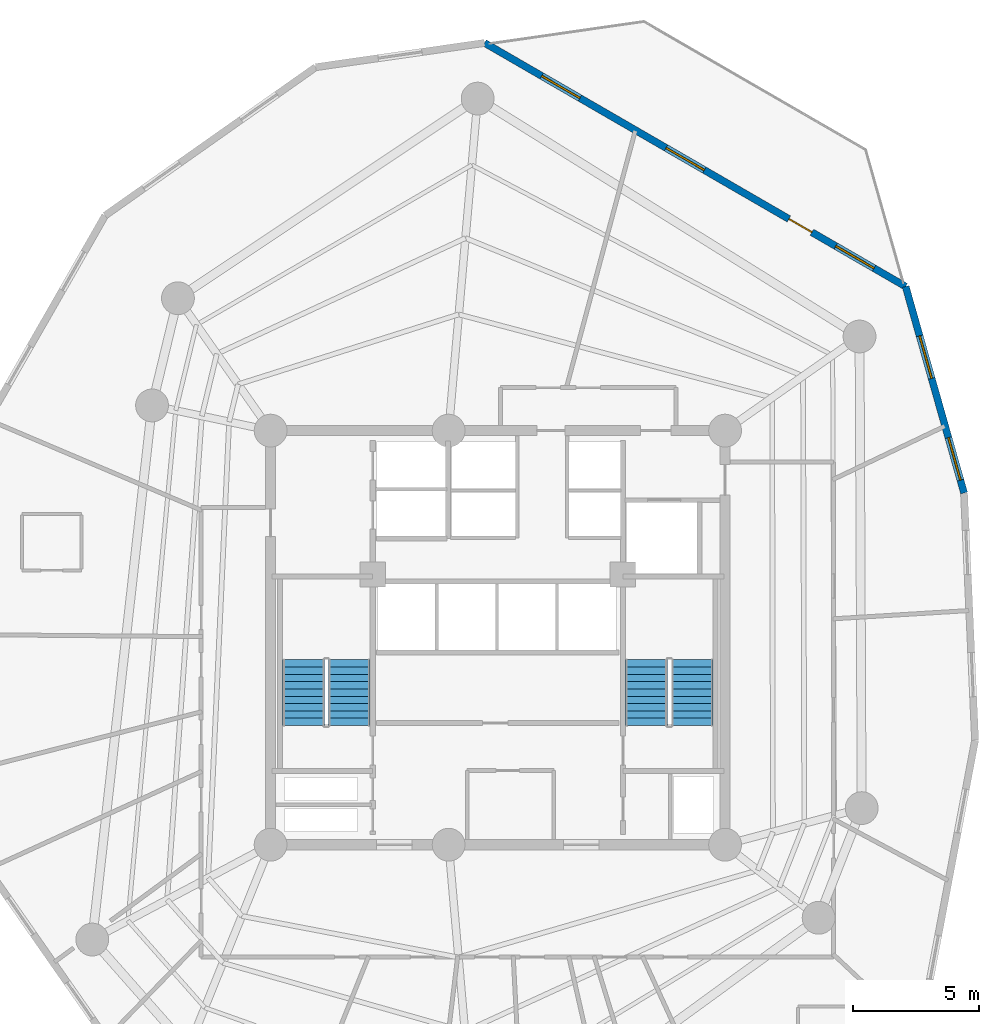
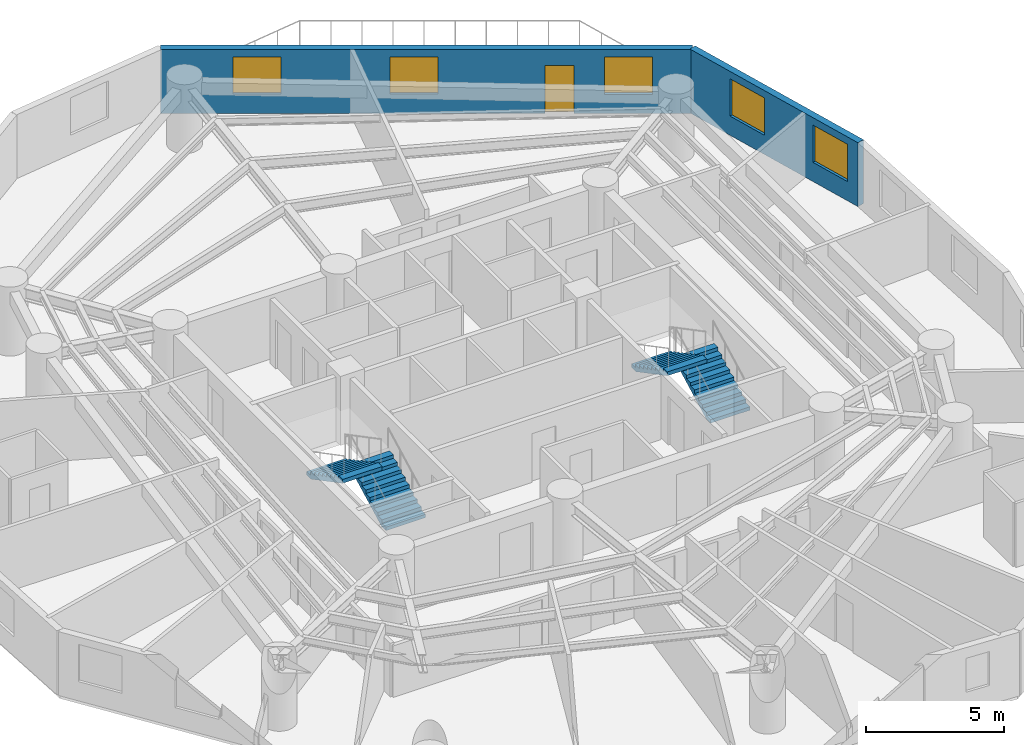
# One storey, part 6 of 7: 5 windows, 4 stair flights, 2 walls, 1 door, 6 openings, 2 elements without a shape of their own.
"""IFC4 building model written with IfcOpenShell, lengths in metres."""

from ifc_helpers import new_model, si_unit, direction, frame, frame_2d, origin, origin_with_axes, place, context, subcontext, project, spatial, polyline, rectangle, outline, extrude, source, transform, mapped, material, layer, layer_set, type_object, element, fill, aggregate, save


model = new_model("IFC4")

# Units and contexts
model_context = context("Model", 3, precision=1e-05, world=origin(), true_north=direction((0.0, 1.0)))
body_context = subcontext(model_context, "Body", "Model", "MODEL_VIEW")
ifc_project = project(units=[si_unit("LENGTHUNIT", "METRE"), si_unit("AREAUNIT", "SQUARE_METRE"), si_unit("VOLUMEUNIT", "CUBIC_METRE"), si_unit("PLANEANGLEUNIT", "RADIAN"), si_unit("MASSUNIT", "GRAM", prefix="KILO")], contexts=[model_context])

# Site, building, storey
site_placement = place(None, origin())
site = spatial("IfcSite", under=ifc_project, at=site_placement, CompositionType="ELEMENT")
building_placement = place(site_placement, origin())
building = spatial("IfcBuilding", under=site, at=building_placement, Name="Karkom Vertical University and Central Library", CompositionType="ELEMENT")
storey_placement = place(building_placement, frame((0.0, 0.0, 193.14990234375)))
storey = spatial("IfcBuildingStorey", under=building, at=storey_placement, Name="L56", CompositionType="ELEMENT", Elevation=193.14990234375)

# Wall, openings, windows
ifc_material_1 = material(Name="Brick-faced precast concrete C45/55", Category="masonry")
ifc_layer = layer(ifc_material_1, 0.280029296875)
ifc_layer_set = layer_set([ifc_layer], Name="Brick-faced precast concrete C45/55")
wall_type = type_object("IfcWallType", Name="ENV-WL-BRK-280", PredefinedType="SOLIDWALL", material=ifc_layer_set)
wall_1_placement = place(storey_placement, frame((46.966064453125, 32.229736328125, 0.0), z_axis=(0.0, 0.0, 1.0), x_axis=(-0.272329993082, 0.96220391543, 0.0)))
wall_1 = element("IfcWall", 1, at=wall_1_placement, inside=storey, type_object=wall_type, Name="Level 56 Brick-Faced Precast Facade Wall 07", PredefinedType="SOLIDWALL", context=body_context, shape_type="SweptSolid", body=[
    extrude(rectangle(XDim=8.498779296875, YDim=0.280029296875, at=frame_2d((4.24951171875, 0.0))), origin(), (0.0, 0.0, 1.0), 2.8251953125),
])
opening_1_placement = place(wall_1_placement, frame((0.528564453125, 0.0, 0.85009765625)))
opening_1 = element("IfcOpeningElement", 2, at=opening_1_placement, cuts=wall_1, Name="Opening WN-08", PredefinedType="OPENING", context=body_context, shape_type="SweptSolid", body=[
    extrude(rectangle(XDim=1.75, YDim=1.64990234375, at=frame_2d((0.875, 0.824951171875))), frame((0.0, 0.14990234375, 0.0), z_axis=(0.0, -1.0, 0.0), x_axis=(1.0, 0.0, 0.0)), (0.0, 0.0, 1.0), 0.300048828125),
])
opening_2_placement = place(wall_1_placement, frame((4.718017578125, 0.0, 0.85009765625)))
opening_2 = element("IfcOpeningElement", 3, at=opening_2_placement, cuts=wall_1, Name="Opening WN-08", PredefinedType="OPENING", context=body_context, shape_type="SweptSolid", body=[
    extrude(rectangle(XDim=1.75, YDim=1.64990234375, at=frame_2d((0.875, 0.824951171875))), frame((0.0, 0.14990234375, 0.0), z_axis=(0.0, -1.0, 0.0), x_axis=(1.0, 0.0, 0.0)), (0.0, 0.0, 1.0), 0.300048828125),
])
ifc_material_2 = material(Name="Aluminium thermal-break frame with solar-control IGU", Category="aluminium")
window_type = type_object("IfcWindowType", Name="ENV-WIN-WN-08", PartitioningType="SINGLE_PANEL", PredefinedType="WINDOW", material=ifc_material_2)
shared_shape_1 = source(origin_with_axes(), body_context, "Body", "SweptSolid", [
    extrude(rectangle(XDim=1.75, YDim=1.64990234375, at=frame_2d((0.875, 0.824951171875))), frame((0.0, 0.030029296875, 0.0), z_axis=(0.0, -1.0, 0.0), x_axis=(1.0, 0.0, 0.0)), (0.0, 0.0, 1.0), 0.06005859375),
])
window_1_placement = place(opening_1_placement, origin())
window_1 = element("IfcWindow", 4, at=window_1_placement, inside=storey, type_object=window_type, Name="Level 56 Punched Window 7.1", OverallHeight=1.64990234375, OverallWidth=1.75, PartitioningType="SINGLE_PANEL", PredefinedType="WINDOW", context=body_context, shape_type="MappedRepresentation", body=[
    mapped(shared_shape_1, transform((0.0, 0.0, 0.0), scale=1.0)),
])
fill(opening_1, window_1)
window_2_placement = place(opening_2_placement, origin())
window_2 = element("IfcWindow", 5, at=window_2_placement, inside=storey, type_object=window_type, Name="Level 56 Punched Window 7.2", OverallHeight=1.64990234375, OverallWidth=1.75, PartitioningType="SINGLE_PANEL", PredefinedType="WINDOW", context=body_context, shape_type="MappedRepresentation", body=[
    mapped(shared_shape_1, transform((0.0, 0.0, 0.0), scale=1.0)),
])
fill(opening_2, window_2)

# Wall, openings, door, windows
wall_2_placement = place(storey_placement, frame((44.651611328125, 40.4072265625, 0.0), z_axis=(0.0, 0.0, 1.0), x_axis=(-0.86559076755, 0.500752057542, 0.0)))
wall_2 = element("IfcWall", 6, at=wall_2_placement, inside=storey, type_object=wall_type, Name="Level 56 Brick-Faced Precast Facade Wall 08", PredefinedType="SOLIDWALL", context=body_context, shape_type="SweptSolid", body=[
    extrude(rectangle(XDim=19.268798828125, YDim=0.280029296875, at=frame_2d((9.63427734375, 0.0))), origin(), (0.0, 0.0, 1.0), 2.8251953125),
])
opening_3_placement = place(wall_2_placement, frame((1.446533203125, 0.0, 0.85009765625)))
opening_3 = element("IfcOpeningElement", 7, at=opening_3_placement, cuts=wall_2, Name="Opening WN-08", PredefinedType="OPENING", context=body_context, shape_type="SweptSolid", body=[
    extrude(rectangle(XDim=1.75, YDim=1.64990234375, at=frame_2d((0.875, 0.824951171875))), frame((0.0, 0.14990234375, 0.0), z_axis=(0.0, -1.0, 0.0), x_axis=(1.0, 0.0, 0.0)), (0.0, 0.0, 1.0), 0.300048828125),
])
opening_4_placement = place(wall_2_placement, frame((9.212890625, 0.0, 0.85009765625)))
opening_4 = element("IfcOpeningElement", 8, at=opening_4_placement, cuts=wall_2, Name="Opening WN-08", PredefinedType="OPENING", context=body_context, shape_type="SweptSolid", body=[
    extrude(rectangle(XDim=1.75, YDim=1.64990234375, at=frame_2d((0.875, 0.824951171875))), frame((0.0, 0.14990234375, 0.0), z_axis=(0.0, -1.0, 0.0), x_axis=(1.0, 0.0, 0.0)), (0.0, 0.0, 1.0), 0.300048828125),
])
opening_5_placement = place(wall_2_placement, frame((14.904052734375, 0.0, 0.85009765625)))
opening_5 = element("IfcOpeningElement", 9, at=opening_5_placement, cuts=wall_2, Name="Opening WN-08", PredefinedType="OPENING", context=body_context, shape_type="SweptSolid", body=[
    extrude(rectangle(XDim=1.75, YDim=1.64990234375, at=frame_2d((0.875, 0.824951171875))), frame((0.0, 0.14990234375, 0.0), z_axis=(0.0, -1.0, 0.0), x_axis=(1.0, 0.0, 0.0)), (0.0, 0.0, 1.0), 0.300048828125),
])
opening_6_placement = place(wall_2_placement, frame((4.292236328125, 0.0, 0.0)))
opening_6 = element("IfcOpeningElement", 10, at=opening_6_placement, cuts=wall_2, Name="Opening TD-1", PredefinedType="OPENING", context=body_context, shape_type="SweptSolid", body=[
    extrude(rectangle(XDim=1.050048828125, YDim=2.1201171875, at=frame_2d((0.52490234375, 1.06005859375))), frame((0.0, 0.14990234375, 0.0), z_axis=(0.0, -1.0, 0.0), x_axis=(1.0, 0.0, 0.0)), (0.0, 0.0, 1.0), 0.300048828125),
])
ifc_material_3 = material(Name="Thermally broken glazed aluminium terrace door", Category="aluminium")
door_type = type_object("IfcDoorType", Name="ENV-DR-TERR", OperationType="NOTDEFINED", PredefinedType="DOOR", material=ifc_material_3)
shared_shape_2 = source(origin_with_axes(), body_context, "Body", "SweptSolid", [
    extrude(rectangle(XDim=1.050048828125, YDim=2.1201171875, at=frame_2d((0.52490234375, 1.06005859375))), frame((0.0, 0.02490234375, 0.0), z_axis=(0.0, -1.0, 0.0), x_axis=(1.0, 0.0, 0.0)), (0.0, 0.0, 1.0), 0.050048828125),
])
door_placement = place(opening_6_placement, origin())
door = element("IfcDoor", 11, at=door_placement, inside=storey, type_object=door_type, Name="Level 56 Outdoor Terrace Access Door", OperationType="SINGLE_SWING_RIGHT", OverallHeight=2.1201171875, OverallWidth=1.050048828125, PredefinedType="DOOR", context=body_context, shape_type="MappedRepresentation", body=[
    mapped(shared_shape_2, transform((0.0, 0.0, 0.0), scale=1.0)),
])
fill(opening_6, door)
window_3_placement = place(opening_3_placement, origin())
window_3 = element("IfcWindow", 12, at=window_3_placement, inside=storey, type_object=window_type, Name="Level 56 Punched Window 8.1", OverallHeight=1.64990234375, OverallWidth=1.75, PartitioningType="SINGLE_PANEL", PredefinedType="WINDOW", context=body_context, shape_type="MappedRepresentation", body=[
    mapped(shared_shape_1, transform((0.0, 0.0, 0.0), scale=1.0)),
])
fill(opening_3, window_3)
window_4_placement = place(opening_4_placement, origin())
window_4 = element("IfcWindow", 13, at=window_4_placement, inside=storey, type_object=window_type, Name="Level 56 Punched Window 8.3", OverallHeight=1.64990234375, OverallWidth=1.75, PartitioningType="SINGLE_PANEL", PredefinedType="WINDOW", context=body_context, shape_type="MappedRepresentation", body=[
    mapped(shared_shape_1, transform((0.0, 0.0, 0.0), scale=1.0)),
])
fill(opening_4, window_4)
window_5_placement = place(opening_5_placement, origin())
window_5 = element("IfcWindow", 14, at=window_5_placement, inside=storey, type_object=window_type, Name="Level 56 Punched Window 8.4", OverallHeight=1.64990234375, OverallWidth=1.75, PartitioningType="SINGLE_PANEL", PredefinedType="WINDOW", context=body_context, shape_type="MappedRepresentation", body=[
    mapped(shared_shape_1, transform((0.0, 0.0, 0.0), scale=1.0)),
])
fill(opening_5, window_5)

# Stair, stair flights
ifc_material_4 = material(Name="Concrete C45/55", Category="concrete")
stair_type = type_object("IfcStairType", Name="INT-STR-ST-MAIN", PredefinedType="HALF_TURN_STAIR", material=ifc_material_4)
stair_1_placement = place(storey_placement, origin())
stair_1 = element("IfcStair", 15, at=stair_1_placement, inside=storey, type_object=stair_type, Name="Level 56 Tower Protected Exit Stair ST-1", PredefinedType="HALF_TURN_STAIR")
stair_flight_type = type_object("IfcStairFlightType", Name="INT-SFL-ST-MAIN", PredefinedType="STRAIGHT", material=ifc_material_4)
stair_flight_1_placement = place(storey_placement, frame((22.614990234375, 23.02001953125, 0.0), z_axis=(0.0, 0.0, 1.0), x_axis=(0.0, 1.0, 0.0)))
stair_flight_1 = element("IfcStairFlight", 16, at=stair_flight_1_placement, type_object=stair_flight_type, Name="ST-1 flight 1", NumberOfRisers=10, NumberOfTreads=9, PredefinedType="STRAIGHT", RiserHeight=0.1525, TreadLength=0.29, context=body_context, shape_type="SweptSolid", body=[
    extrude(outline(polyline([(0.0, 0.0), (0.0, 0.152587890625), (0.2900390625, 0.152587890625), (0.2900390625, 0.304931640625), (0.580078125, 0.304931640625), (0.580078125, 0.45751953125), (0.8701171875, 0.45751953125), (0.8701171875, 0.610107421875), (1.159912109375, 0.610107421875), (1.159912109375, 0.762451171875), (1.449951171875, 0.762451171875), (1.449951171875, 0.9150390625), (1.739990234375, 0.9150390625), (1.739990234375, 1.0673828125), (2.030029296875, 1.0673828125), (2.030029296875, 1.219970703125), (2.320068359375, 1.219970703125), (2.320068359375, 1.37255859375), (2.610107421875, 1.37255859375), (2.610107421875, 1.52490234375), (2.610107421875, 1.203125), (0.322021484375, 0.0), (0.0, 0.0)])), frame((0.0, 0.824951171875, 0.0), z_axis=(0.0, -1.0, 0.0), x_axis=(1.0, 0.0, 0.0)), (0.0, 0.0, 1.0), 1.64990234375),
])
stair_flight_2_placement = place(storey_placement, frame((20.804931640625, 25.6298828125, 1.525146484375), z_axis=(0.0, 0.0, 1.0), x_axis=(0.0, -1.0, 0.0)))
stair_flight_2 = element("IfcStairFlight", 17, at=stair_flight_2_placement, type_object=stair_flight_type, Name="ST-1 flight 2", NumberOfRisers=10, NumberOfTreads=9, PredefinedType="STRAIGHT", RiserHeight=0.1525, TreadLength=0.29, context=body_context, shape_type="SweptSolid", body=[
    extrude(outline(polyline([(0.0, 0.0), (0.0, 0.152587890625), (0.2900390625, 0.152587890625), (0.2900390625, 0.304931640625), (0.580078125, 0.304931640625), (0.580078125, 0.45751953125), (0.8701171875, 0.45751953125), (0.8701171875, 0.610107421875), (1.159912109375, 0.610107421875), (1.159912109375, 0.762451171875), (1.449951171875, 0.762451171875), (1.449951171875, 0.9150390625), (1.739990234375, 0.9150390625), (1.739990234375, 1.0673828125), (2.030029296875, 1.0673828125), (2.030029296875, 1.219970703125), (2.320068359375, 1.219970703125), (2.320068359375, 1.37255859375), (2.610107421875, 1.37255859375), (2.610107421875, 1.52490234375), (2.610107421875, 1.203125), (0.322021484375, 0.0), (0.0, 0.0)])), frame((0.0, 0.824951171875, 0.0), z_axis=(0.0, -1.0, 0.0), x_axis=(1.0, 0.0, 0.0)), (0.0, 0.0, 1.0), 1.64990234375),
])
aggregate(stair_1, [stair_flight_1, stair_flight_2])

stair_2_placement = place(storey_placement, origin())
stair_2 = element("IfcStair", 18, at=stair_2_placement, inside=storey, type_object=stair_type, Name="Level 56 Tower Protected Exit Stair ST-2", PredefinedType="HALF_TURN_STAIR")
stair_flight_3_placement = place(storey_placement, frame((36.195068359375, 23.02001953125, 0.0), z_axis=(0.0, 0.0, 1.0), x_axis=(0.0, 1.0, 0.0)))
stair_flight_3 = element("IfcStairFlight", 19, at=stair_flight_3_placement, type_object=stair_flight_type, Name="ST-2 flight 1", NumberOfRisers=10, NumberOfTreads=9, PredefinedType="STRAIGHT", RiserHeight=0.1525, TreadLength=0.29, context=body_context, shape_type="SweptSolid", body=[
    extrude(outline(polyline([(0.0, 0.0), (0.0, 0.152587890625), (0.2900390625, 0.152587890625), (0.2900390625, 0.304931640625), (0.580078125, 0.304931640625), (0.580078125, 0.45751953125), (0.8701171875, 0.45751953125), (0.8701171875, 0.610107421875), (1.159912109375, 0.610107421875), (1.159912109375, 0.762451171875), (1.449951171875, 0.762451171875), (1.449951171875, 0.9150390625), (1.739990234375, 0.9150390625), (1.739990234375, 1.0673828125), (2.030029296875, 1.0673828125), (2.030029296875, 1.219970703125), (2.320068359375, 1.219970703125), (2.320068359375, 1.37255859375), (2.610107421875, 1.37255859375), (2.610107421875, 1.52490234375), (2.610107421875, 1.203125), (0.322021484375, 0.0), (0.0, 0.0)])), frame((0.0, 0.824951171875, 0.0), z_axis=(0.0, -1.0, 0.0), x_axis=(1.0, 0.0, 0.0)), (0.0, 0.0, 1.0), 1.64990234375),
])
stair_flight_4_placement = place(storey_placement, frame((34.385009765625, 25.6298828125, 1.525146484375), z_axis=(0.0, 0.0, 1.0), x_axis=(0.0, -1.0, 0.0)))
stair_flight_4 = element("IfcStairFlight", 20, at=stair_flight_4_placement, type_object=stair_flight_type, Name="ST-2 flight 2", NumberOfRisers=10, NumberOfTreads=9, PredefinedType="STRAIGHT", RiserHeight=0.1525, TreadLength=0.29, context=body_context, shape_type="SweptSolid", body=[
    extrude(outline(polyline([(0.0, 0.0), (0.0, 0.152587890625), (0.2900390625, 0.152587890625), (0.2900390625, 0.304931640625), (0.580078125, 0.304931640625), (0.580078125, 0.45751953125), (0.8701171875, 0.45751953125), (0.8701171875, 0.610107421875), (1.159912109375, 0.610107421875), (1.159912109375, 0.762451171875), (1.449951171875, 0.762451171875), (1.449951171875, 0.9150390625), (1.739990234375, 0.9150390625), (1.739990234375, 1.0673828125), (2.030029296875, 1.0673828125), (2.030029296875, 1.219970703125), (2.320068359375, 1.219970703125), (2.320068359375, 1.37255859375), (2.610107421875, 1.37255859375), (2.610107421875, 1.52490234375), (2.610107421875, 1.203125), (0.322021484375, 0.0), (0.0, 0.0)])), frame((0.0, 0.824951171875, 0.0), z_axis=(0.0, -1.0, 0.0), x_axis=(1.0, 0.0, 0.0)), (0.0, 0.0, 1.0), 1.64990234375),
])
aggregate(stair_2, [stair_flight_3, stair_flight_4])

save(model, "model.ifc")
